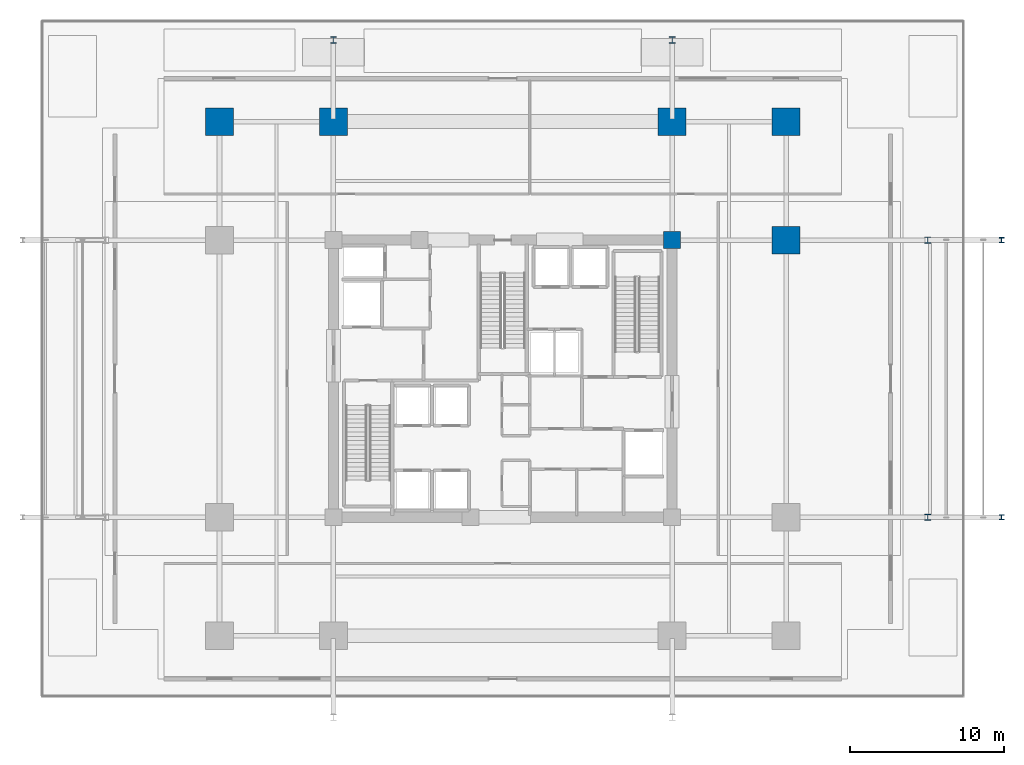
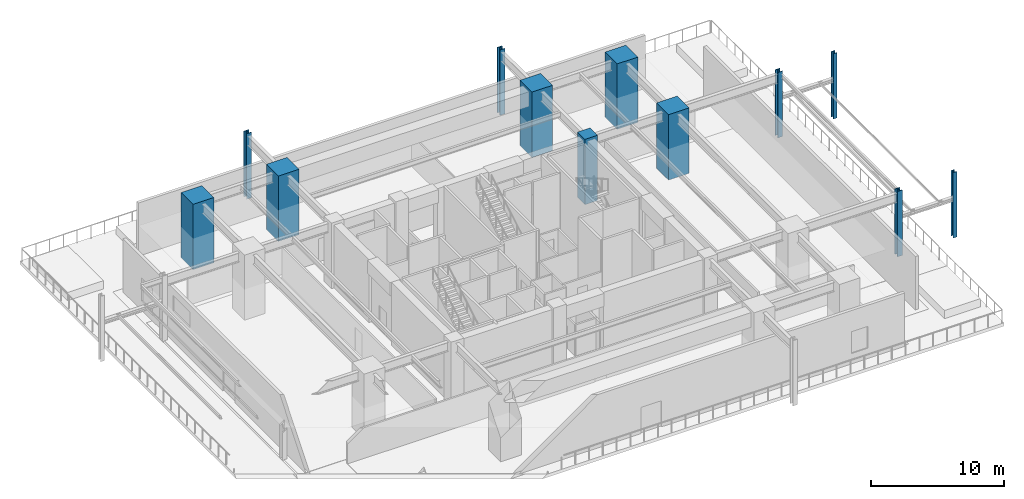
# One storey, part 2 of 14: 12 columns.
"""IFC4 building model written with IfcOpenShell, lengths in metres."""

from ifc_helpers import new_model, si_unit, direction, frame, origin, origin_2d, place, context, subcontext, project, spatial, rectangle, i_section, extrude, material, material_profile, profile_set, type_object, element, save


model = new_model("IFC4")

# Units and contexts
model_context = context("Model", 3, precision=1e-05, world=origin(), true_north=direction((0.0, 1.0)))
body_context = subcontext(model_context, "Body", "Model", "MODEL_VIEW")
ifc_project = project(units=[si_unit("LENGTHUNIT", "METRE"), si_unit("AREAUNIT", "SQUARE_METRE"), si_unit("VOLUMEUNIT", "CUBIC_METRE"), si_unit("PLANEANGLEUNIT", "RADIAN"), si_unit("MASSUNIT", "GRAM", prefix="KILO")], contexts=[model_context])

# Site, building, storey
site_placement = place(None, origin())
site = spatial("IfcSite", under=ifc_project, at=site_placement, CompositionType="ELEMENT")
building_placement = place(site_placement, origin())
building = spatial("IfcBuilding", under=site, at=building_placement, Name="Kovane Verandah Tower", CompositionType="ELEMENT")
storey_placement = place(building_placement, frame((0.0, 0.0, 21.60009765625)))
storey = spatial("IfcBuildingStorey", under=building, at=storey_placement, Name="L04", CompositionType="ELEMENT", Elevation=21.60009765625)

# Columns
ifc_material_1 = material(Name="Concrete C80/95", Category="concrete")
ifc_material_profile_1 = material_profile(ifc_material_1, rectangle(XDim=1.800048828125, YDim=1.800048828125, at=origin_2d()), Name="RC1800x1800")
ifc_profile_set_1 = profile_set([ifc_material_profile_1], Name="Concrete C80/95")
column_type_1 = type_object("IfcColumnType", Name="COL-RC1800", PredefinedType="COLUMN", material=ifc_profile_set_1)
for number, where, z_axis, x_axis, name in (
    (1, (29.0, 44.199951171875, 0.0), (0.0, 0.0, 1.0), (1.0, 0.0, 0.0), "L04 Tower Mega-Column MC-N1"),
    (2, (51.0, 44.199951171875, 0.0), (0.0, 0.0, 1.0), (1.0, 0.0, 0.0), "L04 Tower Mega-Column MC-N2"),
    (3, (58.39990234375, 36.5, 0.0), (0.0, 0.0, 1.0), (1.0, 0.0, 0.0), "L04 Tower Mega-Column MC-E2"),
    (4, (21.60009765625, 44.199951171875, 0.0), (0.0, 0.0, 1.0), (1.0, 0.0, 0.0), "L04 Tower Mega-Column MC-NW"),
    (5, (58.39990234375, 44.199951171875, 0.0), (0.0, 0.0, 1.0), (1.0, 0.0, 0.0), "L04 Tower Mega-Column MC-NE"),
):
    element("IfcColumn", number, at=place(storey_placement, frame(where, z_axis=z_axis, x_axis=x_axis)), inside=storey, type_object=column_type_1, Name=name, PredefinedType="COLUMN", context=body_context, shape_type="SweptSolid", body=[
        extrude(rectangle(XDim=1.800048828125, YDim=1.800048828125, at=origin_2d()), origin(), (0.0, 0.0, 1.0), 6.0),
    ])
ifc_material_2 = material(Name="Steel S355", Category="steel")
ifc_material_profile_2 = material_profile(ifc_material_2, i_section(OverallWidth=0.318359375, OverallDepth=0.3525390625, WebThickness=0.02294921875, FlangeThickness=0.03759765625, FilletRadius=0.01513671875, at=origin_2d()), Name="UC305x305x240")
ifc_profile_set_2 = profile_set([ifc_material_profile_2], Name="Steel S355")
column_type_2 = type_object("IfcColumnType", Name="COL-UC240", PredefinedType="COLUMN", material=ifc_profile_set_2)
for number, where, z_axis, x_axis, name in (
    (6, (72.39990234375, 18.5, 0.0), (0.0, 0.0, 1.0), (1.0, 0.0, 0.0), "L04 Garden Pergola Column PC-ME2"),
    (7, (72.39990234375, 36.5, 0.0), (0.0, 0.0, 1.0), (1.0, 0.0, 0.0), "L04 Garden Pergola Column PC-ME3"),
):
    element("IfcColumn", number, at=place(storey_placement, frame(where, z_axis=z_axis, x_axis=x_axis)), inside=storey, type_object=column_type_2, Name=name, PredefinedType="COLUMN", context=body_context, shape_type="SweptSolid", body=[
        extrude(i_section(OverallWidth=0.318359375, OverallDepth=0.3525390625, WebThickness=0.02294921875, FlangeThickness=0.03759765625, FilletRadius=0.01513671875, at=origin_2d()), origin(), (0.0, 0.0, 1.0), 6.0),
    ])
ifc_material_3 = material(Name="Steel S460", Category="steel")
ifc_material_profile_3 = material_profile(ifc_material_3, i_section(OverallWidth=0.412109375, OverallDepth=0.4365234375, WebThickness=0.035888671875, FlangeThickness=0.05810546875, FilletRadius=0.01513671875, at=origin_2d()), Name="UC356x406x467")
ifc_profile_set_3 = profile_set([ifc_material_profile_3], Name="Steel S460")
column_type_3 = type_object("IfcColumnType", Name="COL-UC467", PredefinedType="COLUMN", material=ifc_profile_set_3)
for number, where, z_axis, x_axis, name in (
    (8, (67.60009765625, 18.5, 0.0), (0.0, 0.0, 1.0), (1.0, 0.0, 0.0), "L04 Verandah Perimeter Column VC-E1"),
    (9, (67.60009765625, 36.5, 0.0), (0.0, 0.0, 1.0), (1.0, 0.0, 0.0), "L04 Verandah Perimeter Column VC-E2"),
    (10, (29.0, 49.5, 0.0), (0.0, 0.0, 1.0), (1.0, 0.0, 0.0), "L04 Verandah Perimeter Column VC-N1"),
    (11, (51.0, 49.5, 0.0), (0.0, 0.0, 1.0), (1.0, 0.0, 0.0), "L04 Verandah Perimeter Column VC-N2"),
):
    element("IfcColumn", number, at=place(storey_placement, frame(where, z_axis=z_axis, x_axis=x_axis)), inside=storey, type_object=column_type_3, Name=name, PredefinedType="COLUMN", context=body_context, shape_type="SweptSolid", body=[
        extrude(i_section(OverallWidth=0.412109375, OverallDepth=0.4365234375, WebThickness=0.035888671875, FlangeThickness=0.05810546875, FilletRadius=0.01513671875, at=origin_2d()), origin(), (0.0, 0.0, 1.0), 6.0),
    ])
ifc_material_profile_4 = material_profile(ifc_material_1, rectangle(XDim=1.10009765625, YDim=1.10009765625, at=origin_2d()), Name="RC1100x1100")
ifc_profile_set_4 = profile_set([ifc_material_profile_4], Name="Concrete C80/95")
column_type_4 = type_object("IfcColumnType", Name="PIL-RC1100", PredefinedType="PILASTER", material=ifc_profile_set_4)
column_placement = place(storey_placement, frame((51.0, 36.5, 0.0), z_axis=(0.0, 0.0, 1.0), x_axis=(1.0, 0.0, 0.0)))
element("IfcColumn", 12, at=column_placement, inside=storey, type_object=column_type_4, Name="L04 Core Pilaster CP-NE", PredefinedType="PILASTER", context=body_context, shape_type="SweptSolid", body=[
    extrude(rectangle(XDim=1.10009765625, YDim=1.10009765625, at=origin_2d()), origin(), (0.0, 0.0, 1.0), 6.0),
])

save(model, "model.ifc")
